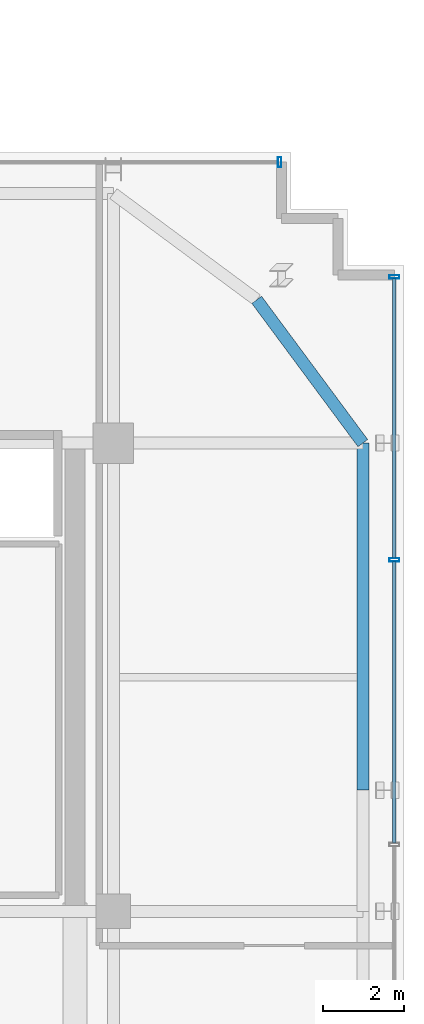
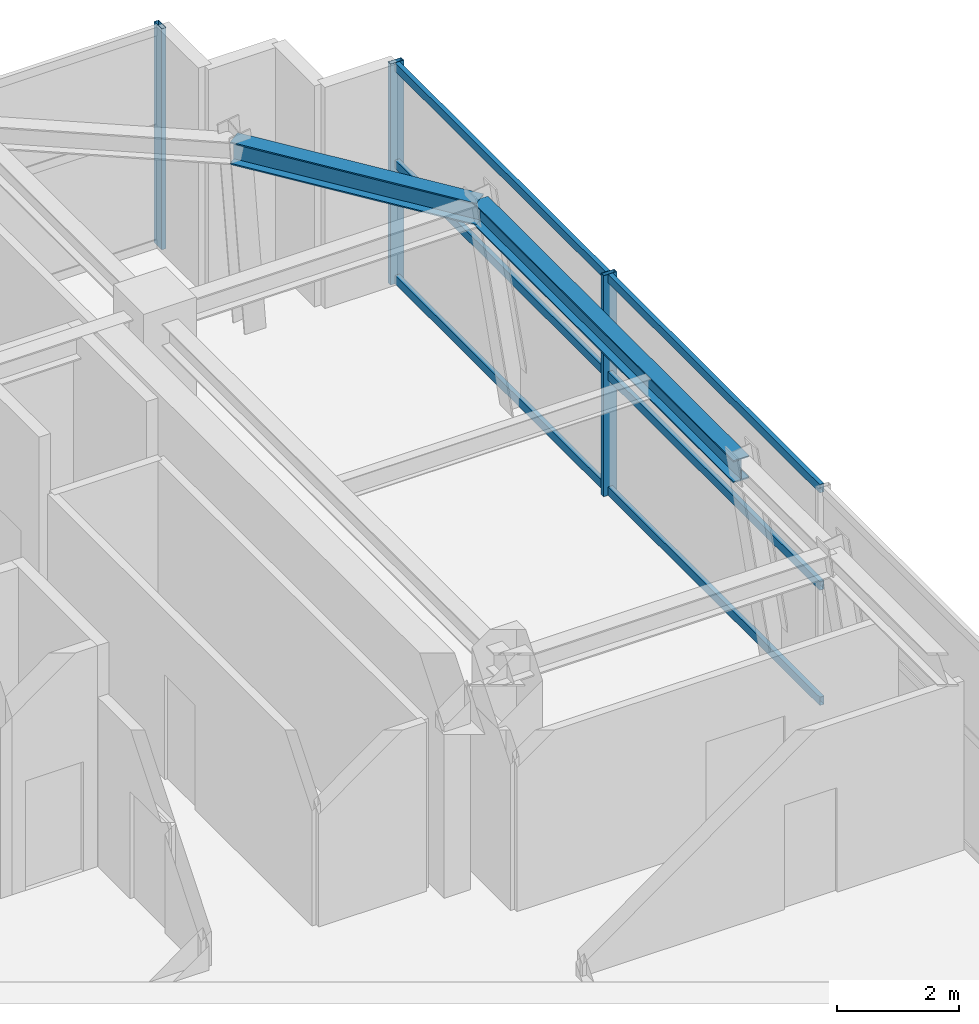
# One storey, part 19 of 28: 9 members, 2 beams, 2 elements without a shape of their own.
"""IFC4 building model written with IfcOpenShell, lengths in metres."""

from ifc_helpers import new_model, si_unit, direction, frame, origin, origin_2d, place, context, subcontext, project, spatial, hollow_rectangle, i_section, extrude, source, transform, mapped, material, material_profile, profile_set, type_object, element, aggregate, save


model = new_model("IFC4")

# Units and contexts
model_context = context("Model", 3, precision=1e-05, world=origin(), true_north=direction((0.0, 1.0)))
body_context = subcontext(model_context, "Body", "Model", "MODEL_VIEW")
ifc_project = project(units=[si_unit("LENGTHUNIT", "METRE"), si_unit("AREAUNIT", "SQUARE_METRE"), si_unit("VOLUMEUNIT", "CUBIC_METRE"), si_unit("PLANEANGLEUNIT", "RADIAN"), si_unit("MASSUNIT", "GRAM", prefix="KILO")], contexts=[model_context])

# Site, building, storey
site_placement = place(None, origin())
site = spatial("IfcSite", under=ifc_project, at=site_placement, CompositionType="ELEMENT")
building_placement = place(site_placement, origin())
building = spatial("IfcBuilding", under=site, at=building_placement, Name="Nahalor Promenade Grand Hotel", CompositionType="ELEMENT")
storey_placement = place(building_placement, frame((0.0, 0.0, 256.699951171875)))
storey = spatial("IfcBuildingStorey", under=building, at=storey_placement, Name="L66", CompositionType="ELEMENT", Elevation=256.699951171875)

# Beams
ifc_material_1 = material(Name="Steel S355JR", Category="steel")
ifc_material_profile_1 = material_profile(ifc_material_1, i_section(OverallWidth=0.3, OverallDepth=0.45, WebThickness=0.014, FlangeThickness=0.026, at=origin_2d()), Name="HEB 450")
ifc_profile_set_1 = profile_set([ifc_material_profile_1], Name="Steel S355JR")
beam_type = type_object("IfcBeamType", Name="Beam-Spandrel-HEB450", PredefinedType="SPANDREL", material=ifc_profile_set_1)
shared_shape_1 = source(origin(), body_context, "Body", "SweptSolid", [
    extrude(i_section(OverallWidth=0.3, OverallDepth=0.45, WebThickness=0.014, FlangeThickness=0.026, at=origin_2d()), origin(), (0.0, 0.0, 1.0), 8.60009765625),
])
beam_1_placement = place(storey_placement, frame((23.179931640625, 8.39990234375, 4.215087890625), z_axis=(0.0, 1.0, 0.0), x_axis=(-1.0, 0.0, 0.0)))
element("IfcBeam", 1, at=beam_1_placement, inside=storey, type_object=beam_type, Name="BM-L66-SP-E-4", PredefinedType="SPANDREL", context=body_context, shape_type="MappedRepresentation", body=[
    mapped(shared_shape_1, transform((0.0, 0.0, 0.0), scale=1.0)),
])
shared_shape_2 = source(origin(), body_context, "Body", "SweptSolid", [
    extrude(i_section(OverallWidth=0.3, OverallDepth=0.45, WebThickness=0.014, FlangeThickness=0.026, at=origin_2d()), origin(), (0.0, 0.0, 1.0), 4.41796875),
])
beam_2_placement = place(storey_placement, frame((20.550048828125, 20.550048828125, 4.215087890625), z_axis=(0.595259267073, -0.803533698711, 0.0), x_axis=(0.803533698711, 0.595259267073, 0.0)))
element("IfcBeam", 2, at=beam_2_placement, inside=storey, type_object=beam_type, Name="BM-L66-SPC-NE-2", PredefinedType="SPANDREL", context=body_context, shape_type="MappedRepresentation", body=[
    mapped(shared_shape_2, transform((0.0, 0.0, 0.0), scale=1.0)),
])

# Curtain wall, member
ifc_material_2 = material(Name="Anodised Bronze Aluminium EN AW-6063 T6", Category="aluminium")
curtain_wall_type = type_object("IfcCurtainWallType", Name="CW5 Sky-Lobby & Observation Panoramic Curtain Wall", PredefinedType="USERDEFINED", material=ifc_material_2)
curtain_wall_1_placement = place(storey_placement, origin())
curtain_wall_1 = element("IfcCurtainWall", 3, at=curtain_wall_1_placement, inside=storey, type_object=curtain_wall_type, Name="L66 Curtain Wall CW-L66-N-3", ObjectType="UNITISED_CURTAIN_WALL", PredefinedType="USERDEFINED")
ifc_material_profile_2 = material_profile(ifc_material_2, hollow_rectangle(XDim=0.085, YDim=0.25, WallThickness=0.006, at=origin_2d()), Name="CWM 85x250x6")
ifc_profile_set_2 = profile_set([ifc_material_profile_2], Name="Anodised Bronze Aluminium EN AW-6063 T6")
member_type_1 = type_object("IfcMemberType", Name="CWM5 Panoramic Deep Mullion 85x250", PredefinedType="MULLION", material=ifc_profile_set_2)
shared_shape_3 = source(origin(), body_context, "Body", "SweptSolid", [
    extrude(hollow_rectangle(XDim=0.085, YDim=0.25, WallThickness=0.006, at=origin_2d()), origin(), (0.0, 0.0, 1.0), 4.43994140625),
])
member_1_placement = place(storey_placement, frame((21.117431640625, 23.9599609375, 0.0), z_axis=(0.0, 0.0, 1.0), x_axis=(1.0, 0.0, 0.0)))
member_1 = element("IfcMember", 4, at=member_1_placement, type_object=member_type_1, Name="CW-L66-N-3 Mullion 4", PredefinedType="MULLION", context=body_context, shape_type="MappedRepresentation", body=[
    mapped(shared_shape_3, transform((0.0, 0.0, 0.0), scale=1.0)),
])
aggregate(curtain_wall_1, [member_1])

# Curtain wall, members
curtain_wall_2_placement = place(storey_placement, origin())
curtain_wall_2 = element("IfcCurtainWall", 5, at=curtain_wall_2_placement, inside=storey, type_object=curtain_wall_type, Name="L66 Curtain Wall CW-L66-E-1", ObjectType="UNITISED_CURTAIN_WALL", PredefinedType="USERDEFINED")
member_2_placement = place(storey_placement, frame((23.9599609375, 14.106689453125, 0.0), z_axis=(0.0, 0.0, 1.0), x_axis=(0.0, 1.0, 0.0)))
member_2 = element("IfcMember", 6, at=member_2_placement, type_object=member_type_1, Name="CW-L66-E-1 Mullion 5", PredefinedType="MULLION", context=body_context, shape_type="MappedRepresentation", body=[
    mapped(shared_shape_3, transform((0.0, 0.0, 0.0), scale=1.0)),
])
member_3_placement = place(storey_placement, frame((23.9599609375, 21.117431640625, 0.0), z_axis=(0.0, 0.0, 1.0), x_axis=(0.0, 1.0, 0.0)))
member_3 = element("IfcMember", 7, at=member_3_placement, type_object=member_type_1, Name="CW-L66-E-1 Mullion 6", PredefinedType="MULLION", context=body_context, shape_type="MappedRepresentation", body=[
    mapped(shared_shape_3, transform((0.0, 0.0, 0.0), scale=1.0)),
])
ifc_material_profile_3 = material_profile(ifc_material_2, hollow_rectangle(XDim=0.085, YDim=0.17, WallThickness=0.005, at=origin_2d()), Name="CWT 85x170x5")
ifc_profile_set_3 = profile_set([ifc_material_profile_3], Name="Anodised Bronze Aluminium EN AW-6063 T6")
member_type_2 = type_object("IfcMemberType", Name="CWT5 Panoramic Transom 85x170", PredefinedType="USERDEFINED", material=ifc_profile_set_3)
shared_shape_4 = source(origin(), body_context, "Body", "SweptSolid", [
    extrude(hollow_rectangle(XDim=0.085, YDim=0.17, WallThickness=0.005, at=origin_2d()), origin(), (0.0, 0.0, 1.0), 6.92578125),
])
member_4_placement = place(storey_placement, frame((23.9599609375, 14.149169921875, 0.0849609375), z_axis=(0.0, 1.0, 0.0), x_axis=(-1.0, 0.0, 0.0)))
member_4 = element("IfcMember", 8, at=member_4_placement, type_object=member_type_2, Name="CW-L66-E-1 Transom 5-0", ObjectType="TRANSOM", PredefinedType="USERDEFINED", context=body_context, shape_type="MappedRepresentation", body=[
    mapped(shared_shape_4, transform((0.0, 0.0, 0.0), scale=1.0)),
])
member_5_placement = place(storey_placement, frame((23.9599609375, 14.149169921875, 2.400146484375), z_axis=(0.0, 1.0, 0.0), x_axis=(-1.0, 0.0, 0.0)))
member_5 = element("IfcMember", 9, at=member_5_placement, type_object=member_type_2, Name="CW-L66-E-1 Transom 5-1", ObjectType="TRANSOM", PredefinedType="USERDEFINED", context=body_context, shape_type="MappedRepresentation", body=[
    mapped(shared_shape_4, transform((0.0, 0.0, 0.0), scale=1.0)),
])
member_6_placement = place(storey_placement, frame((23.9599609375, 14.149169921875, 4.35498046875), z_axis=(0.0, 1.0, 0.0), x_axis=(-1.0, 0.0, 0.0)))
member_6 = element("IfcMember", 10, at=member_6_placement, type_object=member_type_2, Name="CW-L66-E-1 Transom 5-2", ObjectType="TRANSOM", PredefinedType="USERDEFINED", context=body_context, shape_type="MappedRepresentation", body=[
    mapped(shared_shape_4, transform((0.0, 0.0, 0.0), scale=1.0)),
])
shared_shape_5 = source(origin(), body_context, "Body", "SweptSolid", [
    extrude(hollow_rectangle(XDim=0.085, YDim=0.17, WallThickness=0.005, at=origin_2d()), origin(), (0.0, 0.0, 1.0), 6.96826171875),
])
member_7_placement = place(storey_placement, frame((23.9599609375, 7.095947265625, 0.0849609375), z_axis=(0.0, 1.0, 0.0), x_axis=(-1.0, 0.0, 0.0)))
member_7 = element("IfcMember", 11, at=member_7_placement, type_object=member_type_2, Name="CW-L66-E-1 Transom 4-0", ObjectType="TRANSOM", PredefinedType="USERDEFINED", context=body_context, shape_type="MappedRepresentation", body=[
    mapped(shared_shape_5, transform((0.0, 0.0, 0.0), scale=1.0)),
])
member_8_placement = place(storey_placement, frame((23.9599609375, 7.095947265625, 2.400146484375), z_axis=(0.0, 1.0, 0.0), x_axis=(-1.0, 0.0, 0.0)))
member_8 = element("IfcMember", 12, at=member_8_placement, type_object=member_type_2, Name="CW-L66-E-1 Transom 4-1", ObjectType="TRANSOM", PredefinedType="USERDEFINED", context=body_context, shape_type="MappedRepresentation", body=[
    mapped(shared_shape_5, transform((0.0, 0.0, 0.0), scale=1.0)),
])
member_9_placement = place(storey_placement, frame((23.9599609375, 7.095947265625, 4.35498046875), z_axis=(0.0, 1.0, 0.0), x_axis=(-1.0, 0.0, 0.0)))
member_9 = element("IfcMember", 13, at=member_9_placement, type_object=member_type_2, Name="CW-L66-E-1 Transom 4-2", ObjectType="TRANSOM", PredefinedType="USERDEFINED", context=body_context, shape_type="MappedRepresentation", body=[
    mapped(shared_shape_5, transform((0.0, 0.0, 0.0), scale=1.0)),
])
aggregate(curtain_wall_2, [member_2, member_3, member_7, member_8, member_9, member_4, member_5, member_6])

save(model, "model.ifc")
